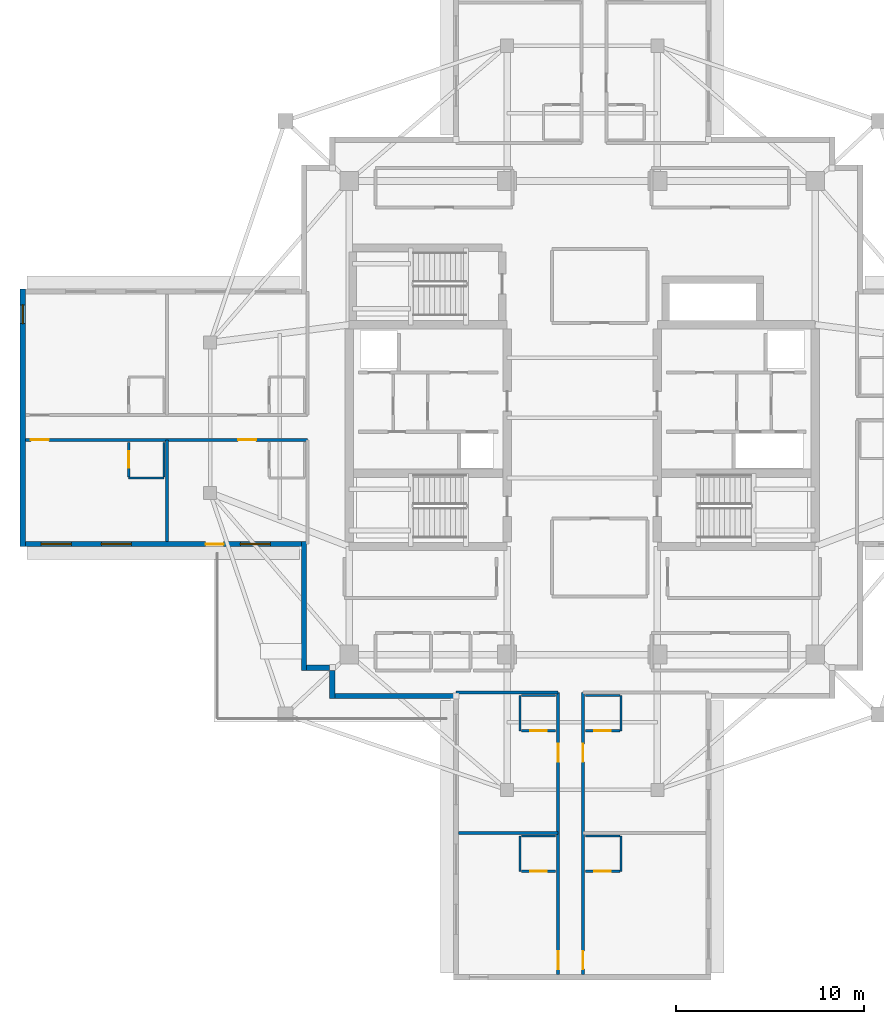
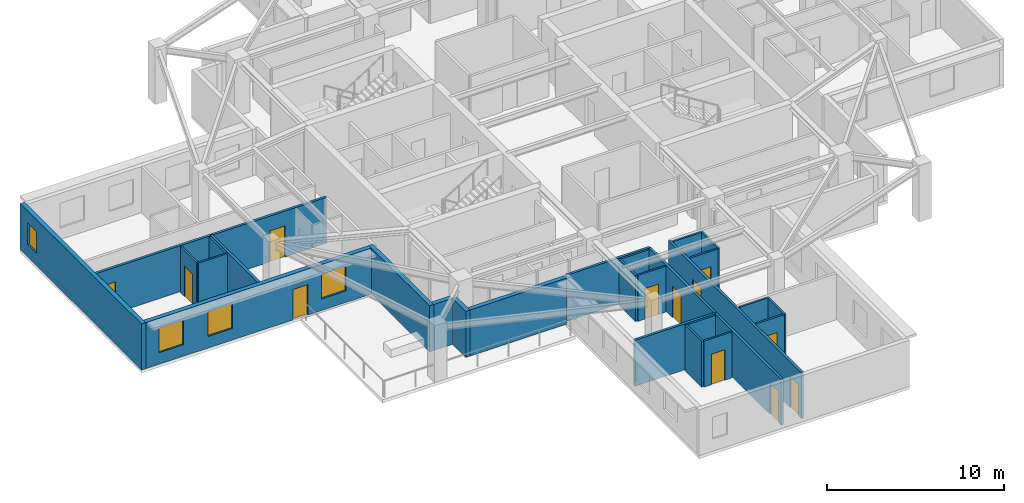
# One storey, part 3 of 12: 27 walls, 12 doors, 4 windows, 16 openings.
"""IFC4 building model written with IfcOpenShell, lengths in metres."""

import ifcopenshell
import ifcopenshell.guid

model = None  # the IFC model being written
_history = None  # IfcOwnerHistory: only IFC2X3 demands one
_inside = {}  # id of a spatial element -> (the spatial element, [elements in it])
_under = {}  # id of a project, library or spatial element -> (it, [spatial elements below it])
_declared = {}  # id of a project -> (the project, [libraries it declares])
_typed = {}  # id of a type object -> (the type object, [elements of that type])
_made_of = {}  # id of a material, layer set ... -> (it, [elements and type objects made of it])


def new_model(schema):
    """Start an empty IFC model of exactly this schema.

    Asked for "IFC4X3", IfcOpenShell would pick the latest addendum, in which some entities
    have other attributes; the version numbers below select the first issue.
    IFC2X3 requires an IfcOwnerHistory on every rooted entity: one is made here for all.
    """
    global model, _history
    if schema == "IFC4X3":
        model = ifcopenshell.file(schema_version=(4, 3, 0, 0))
    else:
        model = ifcopenshell.file(schema=schema)
    _inside.clear()
    _under.clear()
    _declared.clear()
    _typed.clear()
    _made_of.clear()
    _history = None
    if model.schema == "IFC2X3":
        org = make("IfcOrganization", Name="unknown")
        user = make(
            "IfcPersonAndOrganization",
            ThePerson=make("IfcPerson", FamilyName="unknown"),
            TheOrganization=org,
        )
        app = make(
            "IfcApplication",
            ApplicationDeveloper=org,
            Version="unknown",
            ApplicationFullName="unknown",
            ApplicationIdentifier="unknown",
        )
        _history = make(
            "IfcOwnerHistory",
            OwningUser=user,
            OwningApplication=app,
            ChangeAction="ADDED",
            CreationDate=0,
        )
    return model


def make(cls, **values):
    """One entity of the class cls with the attributes given. An attribute that is None is left unset."""
    return model.create_entity(
        cls, **{name: value for name, value in values.items() if value is not None}
    )


def rooted(cls, **values):
    """An entity with a GlobalId (a new one), such as an element, a storey or a relation."""
    return make(cls, GlobalId=ifcopenshell.guid.new(), OwnerHistory=_history, **values)


def si_unit(unit_type, name, prefix=None):
    """IfcSIUnit, for example si_unit("LENGTHUNIT", "METRE", prefix="MILLI")."""
    return make("IfcSIUnit", UnitType=unit_type, Prefix=prefix, Name=name)


def assignment(units):
    """IfcUnitAssignment: the units of a project."""
    return None if units is None else make("IfcUnitAssignment", Units=units)


def point(xyz):
    """IfcCartesianPoint."""
    return None if xyz is None else make("IfcCartesianPoint", Coordinates=xyz)


def direction(xyz):
    """IfcDirection."""
    return None if xyz is None else make("IfcDirection", DirectionRatios=xyz)


def frame(location, z_axis=None, x_axis=None):
    """IfcAxis2Placement3D, a coordinate frame: its origin and axes. An axis left out is left unset."""
    return make(
        "IfcAxis2Placement3D",
        Location=point(location),
        Axis=direction(z_axis),
        RefDirection=direction(x_axis),
    )


def frame_2d(location, x_axis=None):
    """IfcAxis2Placement2D, a coordinate frame in the plane: its origin and x axis."""
    return make(
        "IfcAxis2Placement2D", Location=point(location), RefDirection=direction(x_axis)
    )


def origin():
    """The frame at (0, 0, 0) with its axes left unset."""
    return frame((0.0, 0.0, 0.0))


def place(relative_to, where):
    """IfcLocalPlacement: puts the frame where relative to a parent placement (None: the world)."""
    return make(
        "IfcLocalPlacement", PlacementRelTo=relative_to, RelativePlacement=where
    )


def context(
    kind, dimensions, precision=None, world=None, true_north=None, identifier=None
):
    """IfcGeometricRepresentationContext, for example the 3D "Model" context."""
    return make(
        "IfcGeometricRepresentationContext",
        ContextIdentifier=identifier,
        ContextType=kind,
        CoordinateSpaceDimension=dimensions,
        Precision=precision,
        WorldCoordinateSystem=world,
        TrueNorth=true_north,
    )


def subcontext(parent, identifier, kind, view, scale=None):
    """IfcGeometricRepresentationSubContext, for example "Body" below "Model"."""
    return make(
        "IfcGeometricRepresentationSubContext",
        ContextIdentifier=identifier,
        ContextType=kind,
        ParentContext=parent,
        TargetScale=scale,
        TargetView=view,
    )


def project(units=None, contexts=None):
    """IfcProject with its units and contexts."""
    return rooted(
        "IfcProject",
        Name="project",
        RepresentationContexts=contexts,
        UnitsInContext=assignment(units),
    )


def spatial(cls, under=None, at=None, **own):
    """A site, building, storey or space (cls), placed at a placement, below another one or the project."""
    s = rooted(cls, ObjectPlacement=at, **own)
    if under is not None:
        _under.setdefault(under.id(), (under, []))[1].append(s)
    return s


def profile(cls, at=None, kind="AREA", **sizes):
    """A parametric profile (cls). Its sizes go by their IFC names, for example OverallWidth=200.0."""
    return make(cls, ProfileType=kind, Position=at, **sizes)


def rectangle(**sizes):
    """IfcRectangleProfileDef."""
    return profile("IfcRectangleProfileDef", **sizes)


def extrude(swept, where, along, depth):
    """IfcExtrudedAreaSolid: the profile swept, set in the frame where, extruded along a direction by depth."""
    return make(
        "IfcExtrudedAreaSolid",
        SweptArea=swept,
        Position=where,
        ExtrudedDirection=direction(along),
        Depth=depth,
    )


def shape(context_of_items, identifier, shape_type, items):
    """IfcShapeRepresentation: the items that make up one representation, for example the "Body"."""
    return make(
        "IfcShapeRepresentation",
        ContextOfItems=context_of_items,
        RepresentationIdentifier=identifier,
        RepresentationType=shape_type,
        Items=items,
    )


def material(Name=None, Category=None):
    """IfcMaterial."""
    return make("IfcMaterial", Name=Name, Category=Category)


def layer(
    of_material, thickness, ventilated=None, Name=None, Category=None, Priority=None
):
    """IfcMaterialLayer: one layer of a wall or slab, of a material (None: an air gap)."""
    return make(
        "IfcMaterialLayer",
        Material=of_material,
        LayerThickness=thickness,
        IsVentilated=ventilated,
        Name=Name,
        Category=Category,
        Priority=Priority,
    )


def layer_set(layers, Name=None):
    """IfcMaterialLayerSet."""
    return make("IfcMaterialLayerSet", MaterialLayers=layers, LayerSetName=Name)


def made_of(thing, what):
    """Note that an element or type object is made of a material, layer set ...; save() writes the relation."""
    if what is not None:
        _made_of.setdefault(what.id(), (what, []))[1].append(thing)
    return thing


def type_object(cls, material=None, **own):
    """A type object (cls), such as IfcWallType, which elements share."""
    return made_of(rooted(cls, **own), material)


def element(
    cls,
    number,
    at=None,
    inside=None,
    cuts=None,
    type_object=None,
    material=None,
    context=None,
    identifier="Body",
    shape_type=None,
    held_by="IfcProductDefinitionShape",
    body=None,
    shapes=None,
    **own,
):
    """One element of the class cls, such as IfcWall. Its Tag is "e" and its number.

    at: its placement. inside: the storey or other place that contains it. cuts: it is an
    opening in that element (IfcRelVoidsElement). A single representation is given by context,
    identifier, shape_type and body (its items); several are given by shapes. held_by: the class
    of the entity that holds the representations. save() writes the other relations.
    """
    e = rooted(cls, Tag="e%d" % number, ObjectPlacement=at, **own)
    if body is not None:
        shapes = [shape(context, identifier, shape_type, body)]
    if shapes is not None:
        e.Representation = make(held_by, Representations=shapes)
    if inside is not None:
        _inside.setdefault(inside.id(), (inside, []))[1].append(e)
    if cuts is not None:
        rooted(
            "IfcRelVoidsElement", RelatingBuildingElement=cuts, RelatedOpeningElement=e
        )
    if type_object is not None:
        _typed.setdefault(type_object.id(), (type_object, []))[1].append(e)
    return made_of(e, material)


def fill(opening, filler):
    """IfcRelFillsElement: the door or window that sits in an opening."""
    return rooted(
        "IfcRelFillsElement",
        RelatingOpeningElement=opening,
        RelatedBuildingElement=filler,
    )


def aggregate(whole, parts):
    """IfcRelAggregates: a whole, such as a stair, and the parts it consists of."""
    return rooted("IfcRelAggregates", RelatingObject=whole, RelatedObjects=parts)


def save(model, path):
    """Write the relations noted so far, then the file.

    IfcRelAggregates (storeys below a building ...), IfcRelContainedInSpatialStructure (elements
    in a storey), IfcRelDefinesByType, IfcRelAssociatesMaterial and IfcRelDeclares: one each for
    every whole, place, type object, material and project.
    """
    for whole, parts in _under.values():
        aggregate(whole, parts)
    for where, things in _inside.values():
        rooted(
            "IfcRelContainedInSpatialStructure",
            RelatedElements=things,
            RelatingStructure=where,
        )
    for kind, things in _typed.values():
        rooted("IfcRelDefinesByType", RelatedObjects=things, RelatingType=kind)
    for what, things in _made_of.values():
        rooted("IfcRelAssociatesMaterial", RelatedObjects=things, RelatingMaterial=what)
    for by, libraries in _declared.values():
        rooted("IfcRelDeclares", RelatingContext=by, RelatedDefinitions=libraries)
    model.write(path)


model = new_model("IFC4")

# Units and contexts
model_context = context("Model", 3, precision=1e-05, world=origin(), true_north=direction((0.0, 1.0)))
body_context = subcontext(model_context, "Body", "Model", "MODEL_VIEW")
ifc_project = project(units=[si_unit("LENGTHUNIT", "METRE"), si_unit("AREAUNIT", "SQUARE_METRE"), si_unit("VOLUMEUNIT", "CUBIC_METRE"), si_unit("PLANEANGLEUNIT", "RADIAN"), si_unit("MASSUNIT", "GRAM", prefix="KILO")], contexts=[model_context])

# Site, building, storey
site_placement = place(None, origin())
site = spatial("IfcSite", under=ifc_project, at=site_placement, CompositionType="ELEMENT")
building_placement = place(site_placement, origin())
building = spatial("IfcBuilding", under=site, at=building_placement, Name="Qingluan Cross Belvedere", CompositionType="ELEMENT")
storey_placement = place(building_placement, frame((0.0, 0.0, 265.5)))
storey = spatial("IfcBuildingStorey", under=building, at=storey_placement, Name="L66", CompositionType="ELEMENT", Elevation=265.5)

# Wall, openings, doors
ifc_material_1 = material(Name="Gypsum plasterboard on steel stud acoustic partition", Category="steel")
ifc_layer_1 = layer(ifc_material_1, 0.159912109375, Name="CorridorPartition_160")
ifc_layer_set_1 = layer_set([ifc_layer_1], Name="Gypsum plasterboard on steel stud acoustic partition")
wall_type_1 = type_object("IfcWallType", Name="CorridorPartition_160", PredefinedType="PARTITIONING", material=ifc_layer_set_1)
wall_1_placement = place(storey_placement, frame((-14.6201171875, -1.179931640625, 0.0), z_axis=(0.0, 0.0, 1.0), x_axis=(-1.0, 0.0, 0.0)))
wall_1 = element("IfcWall", 1, at=wall_1_placement, inside=storey, type_object=wall_type_1, Name="Partition L66:W:c1", PredefinedType="PARTITIONING", context=body_context, shape_type="SweptSolid", body=[
    extrude(rectangle(XDim=15.011962890625, YDim=0.159912109375, at=frame_2d((7.505859375, 0.0))), origin(), (0.0, 0.0, 1.0), 3.169921875),
])
opening_1_placement = place(wall_1_placement, frame((2.72802734375, 0.0, 0.0)))
opening_1 = element("IfcOpeningElement", 2, at=opening_1_placement, cuts=wall_1, Name="Opening GD-10", PredefinedType="OPENING", context=body_context, shape_type="SweptSolid", body=[
    extrude(rectangle(XDim=0.9599609375, YDim=2.14990234375, at=frame_2d((0.47998046875, 1.074951171875))), frame((0.0, 0.08984375, 0.0), z_axis=(0.0, -1.0, 0.0), x_axis=(1.0, 0.0, 0.0)), (0.0, 0.0, 1.0), 0.179931640625),
])
opening_2_placement = place(wall_1_placement, frame((13.760009765625, 0.0, 0.0)))
opening_2 = element("IfcOpeningElement", 3, at=opening_2_placement, cuts=wall_1, Name="Opening GD-10", PredefinedType="OPENING", context=body_context, shape_type="SweptSolid", body=[
    extrude(rectangle(XDim=0.9599609375, YDim=2.14990234375, at=frame_2d((0.47998046875, 1.074951171875))), frame((0.0, 0.08984375, 0.0), z_axis=(0.0, -1.0, 0.0), x_axis=(1.0, 0.0, 0.0)), (0.0, 0.0, 1.0), 0.179931640625),
])
ifc_material_2 = material(Name="Timber oak fire-rated acoustic guestroom door", Category="wood")
door_type_1 = type_object("IfcDoorType", Name="GuestEntryDoor_FD60", OperationType="NOTDEFINED", PredefinedType="DOOR", material=ifc_material_2)
door_1_placement = place(opening_1_placement, origin())
door_1 = element("IfcDoor", 4, at=door_1_placement, inside=storey, type_object=door_type_1, Name="Guest entry fire door 6607", OperationType="SINGLE_SWING_RIGHT", OverallHeight=2.14990234375, OverallWidth=0.9599609375, PredefinedType="DOOR", context=body_context, shape_type="SweptSolid", body=[
    extrude(rectangle(XDim=0.9599609375, YDim=2.14990234375, at=frame_2d((0.47998046875, 1.074951171875))), frame((0.0, 0.02490234375, 0.0), z_axis=(0.0, -1.0, 0.0), x_axis=(1.0, 0.0, 0.0)), (0.0, 0.0, 1.0), 0.050048828125),
])
fill(opening_1, door_1)
door_2_placement = place(opening_2_placement, origin())
door_2 = element("IfcDoor", 5, at=door_2_placement, inside=storey, type_object=door_type_1, Name="Guest entry fire door 6608", OperationType="SINGLE_SWING_RIGHT", OverallHeight=2.14990234375, OverallWidth=0.9599609375, PredefinedType="DOOR", context=body_context, shape_type="SweptSolid", body=[
    extrude(rectangle(XDim=0.9599609375, YDim=2.14990234375, at=frame_2d((0.47998046875, 1.074951171875))), frame((0.0, 0.02490234375, 0.0), z_axis=(0.0, -1.0, 0.0), x_axis=(1.0, 0.0, 0.0)), (0.0, 0.0, 1.0), 0.050048828125),
])
fill(opening_2, door_2)

# Wall
wall_2_placement = place(storey_placement, frame((-22.096923828125, -1.179931640625, 0.0), z_axis=(0.0, 0.0, 1.0), x_axis=(0.0, -1.0, 0.0)))
element("IfcWall", 6, at=wall_2_placement, inside=storey, type_object=wall_type_1, Name="Partition L66:W:d1_0", PredefinedType="PARTITIONING", context=body_context, shape_type="SweptSolid", body=[
    extrude(rectangle(XDim=5.39208984375, YDim=0.159912109375, at=frame_2d((2.696044921875, 0.0))), origin(), (0.0, 0.0, 1.0), 3.169921875),
])

# Wall, openings, doors
wall_3_placement = place(storey_placement, frame((0.0400390625, -14.6201171875, 0.0), z_axis=(0.0, 0.0, 1.0), x_axis=(0.0, -1.0, 0.0)))
wall_3 = element("IfcWall", 7, at=wall_3_placement, inside=storey, type_object=wall_type_1, Name="Partition L66:S:c0", PredefinedType="PARTITIONING", context=body_context, shape_type="SweptSolid", body=[
    extrude(rectangle(XDim=15.011962890625, YDim=0.159912109375, at=frame_2d((7.505859375, 0.0))), origin(), (0.0, 0.0, 1.0), 3.169921875),
])
opening_3_placement = place(wall_3_placement, frame((2.72802734375, 0.0, 0.0)))
opening_3 = element("IfcOpeningElement", 8, at=opening_3_placement, cuts=wall_3, Name="Opening GD-10", PredefinedType="OPENING", context=body_context, shape_type="SweptSolid", body=[
    extrude(rectangle(XDim=0.9599609375, YDim=2.14990234375, at=frame_2d((0.47998046875, 1.074951171875))), frame((0.0, 0.08984375, 0.0), z_axis=(0.0, -1.0, 0.0), x_axis=(1.0, 0.0, 0.0)), (0.0, 0.0, 1.0), 0.179931640625),
])
opening_4_placement = place(wall_3_placement, frame((13.760009765625, 0.0, 0.0)))
opening_4 = element("IfcOpeningElement", 9, at=opening_4_placement, cuts=wall_3, Name="Opening GD-10", PredefinedType="OPENING", context=body_context, shape_type="SweptSolid", body=[
    extrude(rectangle(XDim=0.9599609375, YDim=2.14990234375, at=frame_2d((0.47998046875, 1.074951171875))), frame((0.0, 0.08984375, 0.0), z_axis=(0.0, -1.0, 0.0), x_axis=(1.0, 0.0, 0.0)), (0.0, 0.0, 1.0), 0.179931640625),
])
door_3_placement = place(opening_3_placement, origin())
door_3 = element("IfcDoor", 10, at=door_3_placement, inside=storey, type_object=door_type_1, Name="Guest entry fire door 6613", OperationType="SINGLE_SWING_RIGHT", OverallHeight=2.14990234375, OverallWidth=0.9599609375, PredefinedType="DOOR", context=body_context, shape_type="SweptSolid", body=[
    extrude(rectangle(XDim=0.9599609375, YDim=2.14990234375, at=frame_2d((0.47998046875, 1.074951171875))), frame((0.0, 0.02490234375, 0.0), z_axis=(0.0, -1.0, 0.0), x_axis=(1.0, 0.0, 0.0)), (0.0, 0.0, 1.0), 0.050048828125),
])
fill(opening_3, door_3)
door_4_placement = place(opening_4_placement, origin())
door_4 = element("IfcDoor", 11, at=door_4_placement, inside=storey, type_object=door_type_1, Name="Guest entry fire door 6614", OperationType="SINGLE_SWING_RIGHT", OverallHeight=2.14990234375, OverallWidth=0.9599609375, PredefinedType="DOOR", context=body_context, shape_type="SweptSolid", body=[
    extrude(rectangle(XDim=0.9599609375, YDim=2.14990234375, at=frame_2d((0.47998046875, 1.074951171875))), frame((0.0, 0.02490234375, 0.0), z_axis=(0.0, -1.0, 0.0), x_axis=(1.0, 0.0, 0.0)), (0.0, 0.0, 1.0), 0.050048828125),
])
fill(opening_4, door_4)

wall_4_placement = place(storey_placement, frame((-1.280029296875, -14.6201171875, 0.0), z_axis=(0.0, 0.0, 1.0), x_axis=(0.0, -1.0, 0.0)))
wall_4 = element("IfcWall", 12, at=wall_4_placement, inside=storey, type_object=wall_type_1, Name="Partition L66:S:c1", PredefinedType="PARTITIONING", context=body_context, shape_type="SweptSolid", body=[
    extrude(rectangle(XDim=15.011962890625, YDim=0.159912109375, at=frame_2d((7.505859375, 0.0))), origin(), (0.0, 0.0, 1.0), 3.169921875),
])
opening_5_placement = place(wall_4_placement, frame((2.72802734375, 0.0, 0.0)))
opening_5 = element("IfcOpeningElement", 13, at=opening_5_placement, cuts=wall_4, Name="Opening GD-10", PredefinedType="OPENING", context=body_context, shape_type="SweptSolid", body=[
    extrude(rectangle(XDim=0.9599609375, YDim=2.14990234375, at=frame_2d((0.47998046875, 1.074951171875))), frame((0.0, 0.08984375, 0.0), z_axis=(0.0, -1.0, 0.0), x_axis=(1.0, 0.0, 0.0)), (0.0, 0.0, 1.0), 0.179931640625),
])
opening_6_placement = place(wall_4_placement, frame((13.760009765625, 0.0, 0.0)))
opening_6 = element("IfcOpeningElement", 14, at=opening_6_placement, cuts=wall_4, Name="Opening GD-10", PredefinedType="OPENING", context=body_context, shape_type="SweptSolid", body=[
    extrude(rectangle(XDim=0.9599609375, YDim=2.14990234375, at=frame_2d((0.47998046875, 1.074951171875))), frame((0.0, 0.08984375, 0.0), z_axis=(0.0, -1.0, 0.0), x_axis=(1.0, 0.0, 0.0)), (0.0, 0.0, 1.0), 0.179931640625),
])
door_5_placement = place(opening_5_placement, origin())
door_5 = element("IfcDoor", 15, at=door_5_placement, inside=storey, type_object=door_type_1, Name="Guest entry fire door 6615", OperationType="SINGLE_SWING_RIGHT", OverallHeight=2.14990234375, OverallWidth=0.9599609375, PredefinedType="DOOR", context=body_context, shape_type="SweptSolid", body=[
    extrude(rectangle(XDim=0.9599609375, YDim=2.14990234375, at=frame_2d((0.47998046875, 1.074951171875))), frame((0.0, 0.02490234375, 0.0), z_axis=(0.0, -1.0, 0.0), x_axis=(1.0, 0.0, 0.0)), (0.0, 0.0, 1.0), 0.050048828125),
])
fill(opening_5, door_5)
door_6_placement = place(opening_6_placement, origin())
door_6 = element("IfcDoor", 16, at=door_6_placement, inside=storey, type_object=door_type_1, Name="Guest entry fire door 6616", OperationType="SINGLE_SWING_RIGHT", OverallHeight=2.14990234375, OverallWidth=0.9599609375, PredefinedType="DOOR", context=body_context, shape_type="SweptSolid", body=[
    extrude(rectangle(XDim=0.9599609375, YDim=2.14990234375, at=frame_2d((0.47998046875, 1.074951171875))), frame((0.0, 0.02490234375, 0.0), z_axis=(0.0, -1.0, 0.0), x_axis=(1.0, 0.0, 0.0)), (0.0, 0.0, 1.0), 0.050048828125),
])
fill(opening_6, door_6)

# Walls
wall_5_placement = place(storey_placement, frame((-1.280029296875, -14.6201171875, 0.0), z_axis=(0.0, 0.0, 1.0), x_axis=(-1.0, 0.0, 0.0)))
element("IfcWall", 17, at=wall_5_placement, inside=storey, type_object=wall_type_1, Name="Partition L66:S:s1", PredefinedType="PARTITIONING", context=body_context, shape_type="SweptSolid", body=[
    extrude(rectangle(XDim=5.43994140625, YDim=0.159912109375, at=frame_2d((2.719970703125, 0.0))), origin(), (0.0, 0.0, 1.0), 3.169921875),
])
wall_6_placement = place(storey_placement, frame((-1.280029296875, -22.096923828125, 0.0), z_axis=(0.0, 0.0, 1.0), x_axis=(-1.0, 0.0, 0.0)))
element("IfcWall", 18, at=wall_6_placement, inside=storey, type_object=wall_type_1, Name="Partition L66:S:d1_0", PredefinedType="PARTITIONING", context=body_context, shape_type="SweptSolid", body=[
    extrude(rectangle(XDim=5.2919921875, YDim=0.159912109375, at=frame_2d((2.64599609375, 0.0))), origin(), (0.0, 0.0, 1.0), 3.169921875),
])

# Wall, opening, door
ifc_material_3 = material(Name="Moisture-resistant gypsum board lining")
ifc_layer_2 = layer(ifc_material_3, 0.1201171875, Name="EnsuiteWetPartition_120")
ifc_layer_set_2 = layer_set([ifc_layer_2], Name="Moisture-resistant gypsum board lining")
wall_type_2 = type_object("IfcWallType", Name="EnsuiteWetPartition_120", PredefinedType="PARTITIONING", material=ifc_layer_set_2)
wall_7_placement = place(storey_placement, frame((-24.136962890625, -3.139892578125, 0.0), z_axis=(0.0, 0.0, 1.0), x_axis=(0.0, 1.0, 0.0)))
wall_7 = element("IfcWall", 19, at=wall_7_placement, inside=storey, type_object=wall_type_2, Name="Partition L66:W:bs1_1", PredefinedType="PARTITIONING", context=body_context, shape_type="SweptSolid", body=[
    extrude(rectangle(XDim=1.81982421875, YDim=0.1201171875, at=frame_2d((0.909912109375, 0.0))), origin(), (0.0, 0.0, 1.0), 3.169921875),
])
opening_7_placement = place(wall_7_placement, frame((0.469970703125, 0.0, 0.0)))
opening_7 = element("IfcOpeningElement", 20, at=opening_7_placement, cuts=wall_7, Name="Opening BD-09", PredefinedType="OPENING", context=body_context, shape_type="SweptSolid", body=[
    extrude(rectangle(XDim=0.8798828125, YDim=2.10009765625, at=frame_2d((0.43994140625, 1.050048828125))), frame((0.0, 0.070068359375, 0.0), z_axis=(0.0, -1.0, 0.0), x_axis=(1.0, 0.0, 0.0)), (0.0, 0.0, 1.0), 0.14013671875),
])
ifc_material_4 = material(Name="Moisture-sealed timber en-suite door", Category="wood")
door_type_2 = type_object("IfcDoorType", Name="BathroomDoor_880", OperationType="NOTDEFINED", PredefinedType="DOOR", material=ifc_material_4)
door_7_placement = place(opening_7_placement, origin())
door_7 = element("IfcDoor", 21, at=door_7_placement, inside=storey, type_object=door_type_2, Name="Bathroom door 6608", OperationType="SINGLE_SWING_LEFT", OverallHeight=2.10009765625, OverallWidth=0.8798828125, PredefinedType="DOOR", context=body_context, shape_type="SweptSolid", body=[
    extrude(rectangle(XDim=0.8798828125, YDim=2.10009765625, at=frame_2d((0.43994140625, 1.050048828125))), frame((0.0, 0.02490234375, 0.0), z_axis=(0.0, -1.0, 0.0), x_axis=(1.0, 0.0, 0.0)), (0.0, 0.0, 1.0), 0.050048828125),
])
fill(opening_7, door_7)

# Walls
wall_8_placement = place(storey_placement, frame((-22.257080078125, -3.139892578125, 0.0), z_axis=(0.0, 0.0, 1.0), x_axis=(0.0, 1.0, 0.0)))
element("IfcWall", 22, at=wall_8_placement, inside=storey, type_object=wall_type_2, Name="Partition L66:W:bw1_1", PredefinedType="PARTITIONING", context=body_context, shape_type="SweptSolid", body=[
    extrude(rectangle(XDim=1.81982421875, YDim=0.1201171875, at=frame_2d((0.909912109375, 0.0))), origin(), (0.0, 0.0, 1.0), 3.169921875),
])
wall_9_placement = place(storey_placement, frame((-22.257080078125, -3.205078125, 0.0), z_axis=(0.0, 0.0, 1.0), x_axis=(-1.0, 0.0, 0.0)))
element("IfcWall", 23, at=wall_9_placement, inside=storey, type_object=wall_type_2, Name="Partition L66:W:bc1_1", PredefinedType="PARTITIONING", context=body_context, shape_type="SweptSolid", body=[
    extrude(rectangle(XDim=1.8798828125, YDim=0.1201171875, at=frame_2d((0.93994140625, 0.0))), origin(), (0.0, 0.0, 1.0), 3.169921875),
])

# Wall, opening, door
wall_10_placement = place(storey_placement, frame((0.179931640625, -16.659912109375, 0.0), z_axis=(0.0, 0.0, 1.0), x_axis=(1.0, 0.0, 0.0)))
wall_10 = element("IfcWall", 24, at=wall_10_placement, inside=storey, type_object=wall_type_2, Name="Partition L66:S:bs0_0", PredefinedType="PARTITIONING", context=body_context, shape_type="SweptSolid", body=[
    extrude(rectangle(XDim=1.820068359375, YDim=0.1201171875, at=frame_2d((0.91015625, 0.0))), origin(), (0.0, 0.0, 1.0), 3.169921875),
])
opening_8_placement = place(wall_10_placement, frame((0.469970703125, 0.0, 0.0)))
opening_8 = element("IfcOpeningElement", 25, at=opening_8_placement, cuts=wall_10, Name="Opening BD-09", PredefinedType="OPENING", context=body_context, shape_type="SweptSolid", body=[
    extrude(rectangle(XDim=0.8798828125, YDim=2.10009765625, at=frame_2d((0.43994140625, 1.050048828125))), frame((0.0, 0.070068359375, 0.0), z_axis=(0.0, -1.0, 0.0), x_axis=(1.0, 0.0, 0.0)), (0.0, 0.0, 1.0), 0.14013671875),
])
door_8_placement = place(opening_8_placement, origin())
door_8 = element("IfcDoor", 26, at=door_8_placement, inside=storey, type_object=door_type_2, Name="Bathroom door 6613", OperationType="SINGLE_SWING_LEFT", OverallHeight=2.10009765625, OverallWidth=0.8798828125, PredefinedType="DOOR", context=body_context, shape_type="SweptSolid", body=[
    extrude(rectangle(XDim=0.8798828125, YDim=2.10009765625, at=frame_2d((0.43994140625, 1.050048828125))), frame((0.0, 0.02490234375, 0.0), z_axis=(0.0, -1.0, 0.0), x_axis=(1.0, 0.0, 0.0)), (0.0, 0.0, 1.0), 0.050048828125),
])
fill(opening_8, door_8)

# Walls
wall_11_placement = place(storey_placement, frame((0.179931640625, -14.780029296875, 0.0), z_axis=(0.0, 0.0, 1.0), x_axis=(1.0, 0.0, 0.0)))
element("IfcWall", 27, at=wall_11_placement, inside=storey, type_object=wall_type_2, Name="Partition L66:S:bw0_0", PredefinedType="PARTITIONING", context=body_context, shape_type="SweptSolid", body=[
    extrude(rectangle(XDim=1.820068359375, YDim=0.1201171875, at=frame_2d((0.91015625, 0.0))), origin(), (0.0, 0.0, 1.0), 3.169921875),
])
wall_12_placement = place(storey_placement, frame((2.06494140625, -14.780029296875, 0.0), z_axis=(0.0, 0.0, 1.0), x_axis=(0.0, -1.0, 0.0)))
element("IfcWall", 28, at=wall_12_placement, inside=storey, type_object=wall_type_2, Name="Partition L66:S:bn0_0", PredefinedType="PARTITIONING", context=body_context, shape_type="SweptSolid", body=[
    extrude(rectangle(XDim=1.8798828125, YDim=0.1201171875, at=frame_2d((0.93994140625, 0.0))), origin(), (0.0, 0.0, 1.0), 3.169921875),
])

# Wall, opening, door
wall_13_placement = place(storey_placement, frame((0.179931640625, -24.136962890625, 0.0), z_axis=(0.0, 0.0, 1.0), x_axis=(1.0, 0.0, 0.0)))
wall_13 = element("IfcWall", 29, at=wall_13_placement, inside=storey, type_object=wall_type_2, Name="Partition L66:S:bs0_1", PredefinedType="PARTITIONING", context=body_context, shape_type="SweptSolid", body=[
    extrude(rectangle(XDim=1.820068359375, YDim=0.1201171875, at=frame_2d((0.91015625, 0.0))), origin(), (0.0, 0.0, 1.0), 3.169921875),
])
opening_9_placement = place(wall_13_placement, frame((0.469970703125, 0.0, 0.0)))
opening_9 = element("IfcOpeningElement", 30, at=opening_9_placement, cuts=wall_13, Name="Opening BD-09", PredefinedType="OPENING", context=body_context, shape_type="SweptSolid", body=[
    extrude(rectangle(XDim=0.8798828125, YDim=2.10009765625, at=frame_2d((0.43994140625, 1.050048828125))), frame((0.0, 0.070068359375, 0.0), z_axis=(0.0, -1.0, 0.0), x_axis=(1.0, 0.0, 0.0)), (0.0, 0.0, 1.0), 0.14013671875),
])
door_9_placement = place(opening_9_placement, origin())
door_9 = element("IfcDoor", 31, at=door_9_placement, inside=storey, type_object=door_type_2, Name="Bathroom door 6614", OperationType="SINGLE_SWING_LEFT", OverallHeight=2.10009765625, OverallWidth=0.8798828125, PredefinedType="DOOR", context=body_context, shape_type="SweptSolid", body=[
    extrude(rectangle(XDim=0.8798828125, YDim=2.10009765625, at=frame_2d((0.43994140625, 1.050048828125))), frame((0.0, 0.02490234375, 0.0), z_axis=(0.0, -1.0, 0.0), x_axis=(1.0, 0.0, 0.0)), (0.0, 0.0, 1.0), 0.050048828125),
])
fill(opening_9, door_9)

# Walls
wall_14_placement = place(storey_placement, frame((0.179931640625, -22.257080078125, 0.0), z_axis=(0.0, 0.0, 1.0), x_axis=(1.0, 0.0, 0.0)))
element("IfcWall", 32, at=wall_14_placement, inside=storey, type_object=wall_type_2, Name="Partition L66:S:bw0_1", PredefinedType="PARTITIONING", context=body_context, shape_type="SweptSolid", body=[
    extrude(rectangle(XDim=1.820068359375, YDim=0.1201171875, at=frame_2d((0.91015625, 0.0))), origin(), (0.0, 0.0, 1.0), 3.169921875),
])
wall_15_placement = place(storey_placement, frame((2.06494140625, -22.257080078125, 0.0), z_axis=(0.0, 0.0, 1.0), x_axis=(0.0, -1.0, 0.0)))
element("IfcWall", 33, at=wall_15_placement, inside=storey, type_object=wall_type_2, Name="Partition L66:S:bn0_1", PredefinedType="PARTITIONING", context=body_context, shape_type="SweptSolid", body=[
    extrude(rectangle(XDim=1.8798828125, YDim=0.1201171875, at=frame_2d((0.93994140625, 0.0))), origin(), (0.0, 0.0, 1.0), 3.169921875),
])

# Wall, opening, door
wall_16_placement = place(storey_placement, frame((-3.239990234375, -16.659912109375, 0.0), z_axis=(0.0, 0.0, 1.0), x_axis=(1.0, 0.0, 0.0)))
wall_16 = element("IfcWall", 34, at=wall_16_placement, inside=storey, type_object=wall_type_2, Name="Partition L66:S:bs1_0", PredefinedType="PARTITIONING", context=body_context, shape_type="SweptSolid", body=[
    extrude(rectangle(XDim=1.820068359375, YDim=0.1201171875, at=frame_2d((0.91015625, 0.0))), origin(), (0.0, 0.0, 1.0), 3.169921875),
])
opening_10_placement = place(wall_16_placement, frame((0.469970703125, 0.0, 0.0)))
opening_10 = element("IfcOpeningElement", 35, at=opening_10_placement, cuts=wall_16, Name="Opening BD-09", PredefinedType="OPENING", context=body_context, shape_type="SweptSolid", body=[
    extrude(rectangle(XDim=0.8798828125, YDim=2.10009765625, at=frame_2d((0.43994140625, 1.050048828125))), frame((0.0, 0.070068359375, 0.0), z_axis=(0.0, -1.0, 0.0), x_axis=(1.0, 0.0, 0.0)), (0.0, 0.0, 1.0), 0.14013671875),
])
door_10_placement = place(opening_10_placement, origin())
door_10 = element("IfcDoor", 36, at=door_10_placement, inside=storey, type_object=door_type_2, Name="Bathroom door 6615", OperationType="SINGLE_SWING_LEFT", OverallHeight=2.10009765625, OverallWidth=0.8798828125, PredefinedType="DOOR", context=body_context, shape_type="SweptSolid", body=[
    extrude(rectangle(XDim=0.8798828125, YDim=2.10009765625, at=frame_2d((0.43994140625, 1.050048828125))), frame((0.0, 0.02490234375, 0.0), z_axis=(0.0, -1.0, 0.0), x_axis=(1.0, 0.0, 0.0)), (0.0, 0.0, 1.0), 0.050048828125),
])
fill(opening_10, door_10)

# Walls
wall_17_placement = place(storey_placement, frame((-3.239990234375, -14.780029296875, 0.0), z_axis=(0.0, 0.0, 1.0), x_axis=(1.0, 0.0, 0.0)))
element("IfcWall", 37, at=wall_17_placement, inside=storey, type_object=wall_type_2, Name="Partition L66:S:bw1_0", PredefinedType="PARTITIONING", context=body_context, shape_type="SweptSolid", body=[
    extrude(rectangle(XDim=1.820068359375, YDim=0.1201171875, at=frame_2d((0.91015625, 0.0))), origin(), (0.0, 0.0, 1.0), 3.169921875),
])
wall_18_placement = place(storey_placement, frame((-3.304931640625, -14.780029296875, 0.0), z_axis=(0.0, 0.0, 1.0), x_axis=(0.0, -1.0, 0.0)))
element("IfcWall", 38, at=wall_18_placement, inside=storey, type_object=wall_type_2, Name="Partition L66:S:bc1_0", PredefinedType="PARTITIONING", context=body_context, shape_type="SweptSolid", body=[
    extrude(rectangle(XDim=1.8798828125, YDim=0.1201171875, at=frame_2d((0.93994140625, 0.0))), origin(), (0.0, 0.0, 1.0), 3.169921875),
])

# Wall, opening, door
wall_19_placement = place(storey_placement, frame((-3.239990234375, -24.136962890625, 0.0), z_axis=(0.0, 0.0, 1.0), x_axis=(1.0, 0.0, 0.0)))
wall_19 = element("IfcWall", 39, at=wall_19_placement, inside=storey, type_object=wall_type_2, Name="Partition L66:S:bs1_1", PredefinedType="PARTITIONING", context=body_context, shape_type="SweptSolid", body=[
    extrude(rectangle(XDim=1.820068359375, YDim=0.1201171875, at=frame_2d((0.91015625, 0.0))), origin(), (0.0, 0.0, 1.0), 3.169921875),
])
opening_11_placement = place(wall_19_placement, frame((0.469970703125, 0.0, 0.0)))
opening_11 = element("IfcOpeningElement", 40, at=opening_11_placement, cuts=wall_19, Name="Opening BD-09", PredefinedType="OPENING", context=body_context, shape_type="SweptSolid", body=[
    extrude(rectangle(XDim=0.8798828125, YDim=2.10009765625, at=frame_2d((0.43994140625, 1.050048828125))), frame((0.0, 0.070068359375, 0.0), z_axis=(0.0, -1.0, 0.0), x_axis=(1.0, 0.0, 0.0)), (0.0, 0.0, 1.0), 0.14013671875),
])
door_11_placement = place(opening_11_placement, origin())
door_11 = element("IfcDoor", 41, at=door_11_placement, inside=storey, type_object=door_type_2, Name="Bathroom door 6616", OperationType="SINGLE_SWING_LEFT", OverallHeight=2.10009765625, OverallWidth=0.8798828125, PredefinedType="DOOR", context=body_context, shape_type="SweptSolid", body=[
    extrude(rectangle(XDim=0.8798828125, YDim=2.10009765625, at=frame_2d((0.43994140625, 1.050048828125))), frame((0.0, 0.02490234375, 0.0), z_axis=(0.0, -1.0, 0.0), x_axis=(1.0, 0.0, 0.0)), (0.0, 0.0, 1.0), 0.050048828125),
])
fill(opening_11, door_11)

# Walls
wall_20_placement = place(storey_placement, frame((-3.239990234375, -22.257080078125, 0.0), z_axis=(0.0, 0.0, 1.0), x_axis=(1.0, 0.0, 0.0)))
element("IfcWall", 42, at=wall_20_placement, inside=storey, type_object=wall_type_2, Name="Partition L66:S:bw1_1", PredefinedType="PARTITIONING", context=body_context, shape_type="SweptSolid", body=[
    extrude(rectangle(XDim=1.820068359375, YDim=0.1201171875, at=frame_2d((0.91015625, 0.0))), origin(), (0.0, 0.0, 1.0), 3.169921875),
])
wall_21_placement = place(storey_placement, frame((-3.304931640625, -22.257080078125, 0.0), z_axis=(0.0, 0.0, 1.0), x_axis=(0.0, -1.0, 0.0)))
element("IfcWall", 43, at=wall_21_placement, inside=storey, type_object=wall_type_2, Name="Partition L66:S:bc1_1", PredefinedType="PARTITIONING", context=body_context, shape_type="SweptSolid", body=[
    extrude(rectangle(XDim=1.8798828125, YDim=0.1201171875, at=frame_2d((0.93994140625, 0.0))), origin(), (0.0, 0.0, 1.0), 3.169921875),
])

# Wall, openings, windows, door
ifc_material_5 = material(Name="Precast concrete C45", Category="concrete")
ifc_layer_3 = layer(ifc_material_5, 0.280029296875, Name="PrecastFacadeWall_280")
ifc_layer_set_3 = layer_set([ifc_layer_3], Name="Precast concrete C45")
wall_type_3 = type_object("IfcWallType", Name="PrecastFacadeWall_280", PredefinedType="STANDARD", material=ifc_layer_set_3)
wall_22_placement = place(storey_placement, frame((-29.639892578125, -6.719970703125, 0.0), z_axis=(0.0, 0.0, 1.0), x_axis=(1.0, 0.0, 0.0)))
wall_22 = element("IfcWall", 44, at=wall_22_placement, inside=storey, type_object=wall_type_3, Name="Facade wall L66-WB", PredefinedType="STANDARD", context=body_context, shape_type="SweptSolid", body=[
    extrude(rectangle(XDim=14.699951171875, YDim=0.280029296875, at=frame_2d((7.35009765625, 0.0))), origin(), (0.0, 0.0, 1.0), 3.179931640625),
])
opening_12_placement = place(wall_22_placement, frame((0.85009765625, 0.0, 0.800048828125)))
opening_12 = element("IfcOpeningElement", 45, at=opening_12_placement, cuts=wall_22, Name="Opening W-04", PredefinedType="OPENING", context=body_context, shape_type="SweptSolid", body=[
    extrude(rectangle(XDim=1.60009765625, YDim=1.699951171875, at=frame_2d((0.800048828125, 0.85009765625))), frame((0.0, 0.14990234375, 0.0), z_axis=(0.0, -1.0, 0.0), x_axis=(1.0, 0.0, 0.0)), (0.0, 0.0, 1.0), 0.300048828125),
])
opening_13_placement = place(wall_22_placement, frame((4.050048828125, 0.0, 0.800048828125)))
opening_13 = element("IfcOpeningElement", 46, at=opening_13_placement, cuts=wall_22, Name="Opening W-04", PredefinedType="OPENING", context=body_context, shape_type="SweptSolid", body=[
    extrude(rectangle(XDim=1.60009765625, YDim=1.699951171875, at=frame_2d((0.800048828125, 0.85009765625))), frame((0.0, 0.14990234375, 0.0), z_axis=(0.0, -1.0, 0.0), x_axis=(1.0, 0.0, 0.0)), (0.0, 0.0, 1.0), 0.300048828125),
])
opening_14_placement = place(wall_22_placement, frame((11.449951171875, 0.0, 0.800048828125)))
opening_14 = element("IfcOpeningElement", 47, at=opening_14_placement, cuts=wall_22, Name="Opening W-04", PredefinedType="OPENING", context=body_context, shape_type="SweptSolid", body=[
    extrude(rectangle(XDim=1.60009765625, YDim=1.699951171875, at=frame_2d((0.800048828125, 0.85009765625))), frame((0.0, 0.14990234375, 0.0), z_axis=(0.0, -1.0, 0.0), x_axis=(1.0, 0.0, 0.0)), (0.0, 0.0, 1.0), 0.300048828125),
])
opening_15_placement = place(wall_22_placement, frame((9.60009765625, 0.0, 0.0)))
opening_15 = element("IfcOpeningElement", 48, at=opening_15_placement, cuts=wall_22, Name="Opening WD-10", PredefinedType="OPENING", context=body_context, shape_type="SweptSolid", body=[
    extrude(rectangle(XDim=0.9599609375, YDim=2.10009765625, at=frame_2d((0.47998046875, 1.050048828125))), frame((0.0, 0.14990234375, 0.0), z_axis=(0.0, -1.0, 0.0), x_axis=(1.0, 0.0, 0.0)), (0.0, 0.0, 1.0), 0.300048828125),
])
ifc_material_6 = material(Name="Thermally broken triple Low-E glass in aluminium frame", Category="aluminium")
window_type_1 = type_object("IfcWindowType", Name="SuiteCornerWin_1600x1700", PartitioningType="SINGLE_PANEL", PredefinedType="WINDOW", material=ifc_material_6)
window_1_placement = place(opening_12_placement, origin())
window_1 = element("IfcWindow", 49, at=window_1_placement, inside=storey, type_object=window_type_1, Name="Ribbon window L66-WB-1", OverallHeight=1.699951171875, OverallWidth=1.60009765625, PartitioningType="SINGLE_PANEL", PredefinedType="WINDOW", context=body_context, shape_type="SweptSolid", body=[
    extrude(rectangle(XDim=1.60009765625, YDim=1.699951171875, at=frame_2d((0.800048828125, 0.85009765625))), frame((0.0, 0.030029296875, 0.0), z_axis=(0.0, -1.0, 0.0), x_axis=(1.0, 0.0, 0.0)), (0.0, 0.0, 1.0), 0.06005859375),
])
fill(opening_12, window_1)
window_2_placement = place(opening_13_placement, origin())
window_2 = element("IfcWindow", 50, at=window_2_placement, inside=storey, type_object=window_type_1, Name="Ribbon window L66-WB-2", OverallHeight=1.699951171875, OverallWidth=1.60009765625, PartitioningType="SINGLE_PANEL", PredefinedType="WINDOW", context=body_context, shape_type="SweptSolid", body=[
    extrude(rectangle(XDim=1.60009765625, YDim=1.699951171875, at=frame_2d((0.800048828125, 0.85009765625))), frame((0.0, 0.030029296875, 0.0), z_axis=(0.0, -1.0, 0.0), x_axis=(1.0, 0.0, 0.0)), (0.0, 0.0, 1.0), 0.06005859375),
])
fill(opening_13, window_2)
window_3_placement = place(opening_14_placement, origin())
window_3 = element("IfcWindow", 51, at=window_3_placement, inside=storey, type_object=window_type_1, Name="Ribbon window L66-WB-4", OverallHeight=1.699951171875, OverallWidth=1.60009765625, PartitioningType="SINGLE_PANEL", PredefinedType="WINDOW", context=body_context, shape_type="SweptSolid", body=[
    extrude(rectangle(XDim=1.60009765625, YDim=1.699951171875, at=frame_2d((0.800048828125, 0.85009765625))), frame((0.0, 0.030029296875, 0.0), z_axis=(0.0, -1.0, 0.0), x_axis=(1.0, 0.0, 0.0)), (0.0, 0.0, 1.0), 0.06005859375),
])
fill(opening_14, window_3)
ifc_material_7 = material(Name="Thermally broken aluminium and Low-E glass", Category="aluminium")
door_type_3 = type_object("IfcDoorType", Name="WinterGardenDoor_096", OperationType="NOTDEFINED", PredefinedType="DOOR", material=ifc_material_7)
door_12_placement = place(opening_15_placement, origin())
door_12 = element("IfcDoor", 52, at=door_12_placement, inside=storey, type_object=door_type_3, Name="Outdoor terrace access door L66-spi", OperationType="SINGLE_SWING_LEFT", OverallHeight=2.10009765625, OverallWidth=0.9599609375, PredefinedType="DOOR", context=body_context, shape_type="SweptSolid", body=[
    extrude(rectangle(XDim=0.9599609375, YDim=2.10009765625, at=frame_2d((0.47998046875, 1.050048828125))), frame((0.0, 0.02490234375, 0.0), z_axis=(0.0, -1.0, 0.0), x_axis=(1.0, 0.0, 0.0)), (0.0, 0.0, 1.0), 0.050048828125),
])
fill(opening_15, door_12)

# Wall, opening, window
wall_23_placement = place(storey_placement, frame((-29.780029296875, 6.860107421875, 0.0), z_axis=(0.0, 0.0, 1.0), x_axis=(0.0, -1.0, 0.0)))
wall_23 = element("IfcWall", 53, at=wall_23_placement, inside=storey, type_object=wall_type_3, Name="Arm tip precast facade wall L66-W", PredefinedType="STANDARD", context=body_context, shape_type="SweptSolid", body=[
    extrude(rectangle(XDim=13.72021484375, YDim=0.280029296875, at=frame_2d((6.860107421875, 0.0))), origin(), (0.0, 0.0, 1.0), 3.179931640625),
])
opening_16_placement = place(wall_23_placement, frame((0.85009765625, 0.0, 0.85009765625)))
opening_16 = element("IfcOpeningElement", 54, at=opening_16_placement, cuts=wall_23, Name="Opening W-03", PredefinedType="OPENING", context=body_context, shape_type="SweptSolid", body=[
    extrude(rectangle(XDim=1.0, YDim=1.5, at=frame_2d((0.5, 0.75))), frame((0.0, 0.14990234375, 0.0), z_axis=(0.0, -1.0, 0.0), x_axis=(1.0, 0.0, 0.0)), (0.0, 0.0, 1.0), 0.300048828125),
])
ifc_material_8 = material(Name="Thermally broken triple Low-E glass in aluminium frame", Category="aluminium")
window_type_2 = type_object("IfcWindowType", Name="TriApexWin_1000x1500", PartitioningType="SINGLE_PANEL", PredefinedType="WINDOW", material=ifc_material_8)
window_4_placement = place(opening_16_placement, origin())
window_4 = element("IfcWindow", 55, at=window_4_placement, inside=storey, type_object=window_type_2, Name="Arm tip triangular window L66-W", OverallHeight=1.5, OverallWidth=1.0, PartitioningType="SINGLE_PANEL", PredefinedType="WINDOW", context=body_context, shape_type="SweptSolid", body=[
    extrude(rectangle(XDim=1.0, YDim=1.5, at=frame_2d((0.5, 0.75))), frame((0.0, 0.030029296875, 0.0), z_axis=(0.0, -1.0, 0.0), x_axis=(1.0, 0.0, 0.0)), (0.0, 0.0, 1.0), 0.06005859375),
])
fill(opening_16, window_4)

# Walls
wall_24_placement = place(storey_placement, frame((-14.800048828125, -6.580078125, 0.0), z_axis=(0.0, 0.0, 1.0), x_axis=(0.0, -1.0, 0.0)))
element("IfcWall", 56, at=wall_24_placement, inside=storey, type_object=wall_type_3, Name="Corner wall L66-SW1", PredefinedType="STANDARD", context=body_context, shape_type="SweptSolid", body=[
    extrude(rectangle(XDim=6.85986328125, YDim=0.280029296875, at=frame_2d((3.429931640625, 0.0))), origin(), (0.0, 0.0, 1.0), 3.179931640625),
])
wall_25_placement = place(storey_placement, frame((-14.659912109375, -13.300048828125, 0.0), z_axis=(0.0, 0.0, 1.0), x_axis=(1.0, 0.0, 0.0)))
element("IfcWall", 57, at=wall_25_placement, inside=storey, type_object=wall_type_3, Name="Corner wall L66-SW2", PredefinedType="STANDARD", context=body_context, shape_type="SweptSolid", body=[
    extrude(rectangle(XDim=1.219970703125, YDim=0.280029296875, at=frame_2d((0.60986328125, 0.0))), origin(), (0.0, 0.0, 1.0), 3.179931640625),
])
wall_26_placement = place(storey_placement, frame((-13.300048828125, -13.43994140625, 0.0), z_axis=(0.0, 0.0, 1.0), x_axis=(0.0, -1.0, 0.0)))
element("IfcWall", 58, at=wall_26_placement, inside=storey, type_object=wall_type_3, Name="Corner wall L66-SW3", PredefinedType="STANDARD", context=body_context, shape_type="SweptSolid", body=[
    extrude(rectangle(XDim=1.5, YDim=0.280029296875, at=frame_2d((0.75, 0.0))), origin(), (0.0, 0.0, 1.0), 3.179931640625),
])
wall_27_placement = place(storey_placement, frame((-13.159912109375, -14.800048828125, 0.0), z_axis=(0.0, 0.0, 1.0), x_axis=(1.0, 0.0, 0.0)))
element("IfcWall", 59, at=wall_27_placement, inside=storey, type_object=wall_type_3, Name="Corner wall L66-SW4", PredefinedType="STANDARD", context=body_context, shape_type="SweptSolid", body=[
    extrude(rectangle(XDim=6.2998046875, YDim=0.280029296875, at=frame_2d((3.14990234375, 0.0))), origin(), (0.0, 0.0, 1.0), 3.179931640625),
])

save(model, "model.ifc")
